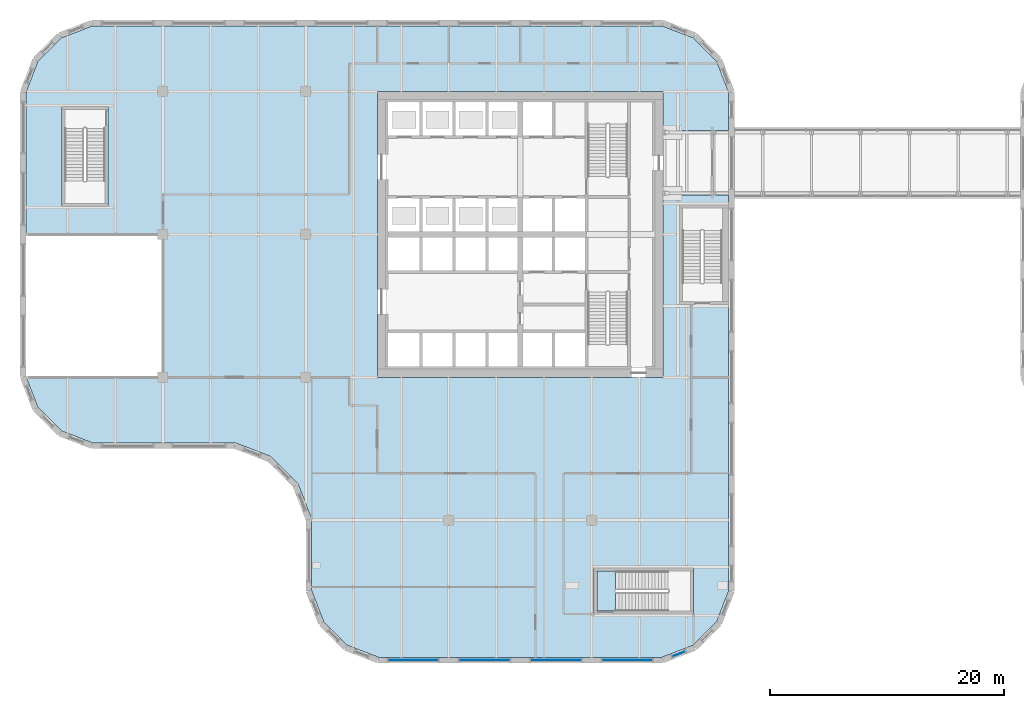
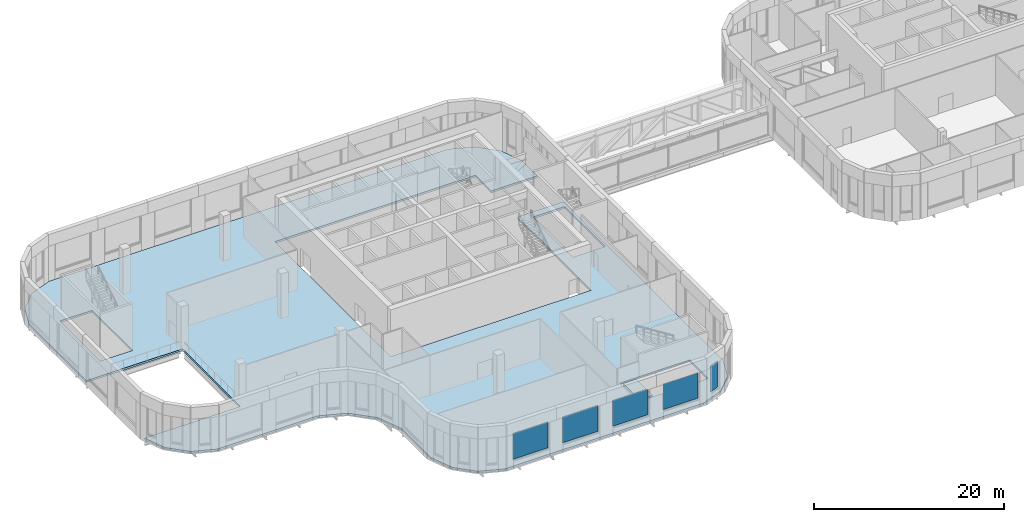
# One storey, part 15 of 36: 5 plates, 2 slabs, 5 elements without a shape of their own.
"""IFC4 building model written with IfcOpenShell, lengths in metres."""

from ifc_helpers import new_model, si_unit, direction, frame, origin, origin_2d, place, context, subcontext, project, spatial, polyline, rectangle, outline, extrude, material, layer, layer_set, type_object, element, aggregate, save


model = new_model("IFC4")

# Units and contexts
model_context = context("Model", 3, precision=1e-05, world=origin(), true_north=direction((0.0, 1.0)))
body_context = subcontext(model_context, "Body", "Model", "MODEL_VIEW")
ifc_project = project(units=[si_unit("LENGTHUNIT", "METRE"), si_unit("AREAUNIT", "SQUARE_METRE"), si_unit("VOLUMEUNIT", "CUBIC_METRE"), si_unit("PLANEANGLEUNIT", "RADIAN"), si_unit("MASSUNIT", "GRAM", prefix="KILO")], contexts=[model_context])

# Site, building, storey
site_placement = place(None, origin())
site = spatial("IfcSite", under=ifc_project, at=site_placement, CompositionType="ELEMENT")
building_placement = place(site_placement, origin())
building = spatial("IfcBuilding", under=site, at=building_placement, Name="Tessera Gate Towers", CompositionType="ELEMENT")
storey_placement = place(building_placement, frame((0.0, 0.0, 106.60009765625)))
storey = spatial("IfcBuildingStorey", under=building, at=storey_placement, Name="L26", CompositionType="ELEMENT", Elevation=106.60009765625)

# Slabs
ifc_material_1 = material(Name="Concrete C35/45", Category="concrete")
ifc_layer_1 = layer(ifc_material_1, 0.25)
ifc_layer_set_1 = layer_set([ifc_layer_1], Name="COMPOSITE FLOOR 250")
slab_type_1 = type_object("IfcSlabType", Name="COMPOSITE FLOOR 250", PredefinedType="FLOOR", material=ifc_layer_set_1)
slab_1_placement = place(storey_placement, frame((0.0, 0.0, -0.25)))
element("IfcSlab", 1, at=slab_1_placement, inside=storey, type_object=slab_type_1, Name="T1-L26", PredefinedType="FLOOR", context=body_context, shape_type="SweptSolid", body=[
    extrude(outline(polyline([(0.5, 36.60009765625), (12.199951171875, 36.60009765625), (12.199951171875, 24.39990234375), (0.535888671875, 24.39990234375), (1.526123046875, 21.8330078125), (3.533203125, 19.826171875), (6.193115234375, 18.800048828125), (18.39306640625, 18.800048828125), (21.42431640625, 17.630615234375), (23.730712890625, 15.32421875), (24.89990234375, 12.293212890625), (24.89990234375, 6.193115234375), (25.926025390625, 3.533203125), (27.93310546875, 1.526123046875), (30.593017578125, 0.5), (54.806884765625, 0.5), (57.466796875, 1.526123046875), (59.473876953125, 3.533203125), (60.5, 6.193115234375), (60.5, 39.948974609375), (54.89990234375, 39.948974609375), (54.89990234375, 24.39990234375), (30.5, 24.39990234375), (30.5, 48.800048828125), (54.89990234375, 48.800048828125), (54.89990234375, 45.450927734375), (60.5, 45.450927734375), (60.5, 48.706787109375), (59.473876953125, 51.366943359375), (57.466796875, 53.373779296875), (54.806884765625, 54.39990234375), (6.193115234375, 54.39990234375), (3.533203125, 53.373779296875), (1.526123046875, 51.366943359375), (0.5, 48.706787109375), (0.5, 36.60009765625)]), holes=[polyline([(3.60009765625, 39.0), (3.60009765625, 47.5), (7.5, 47.5), (7.5, 39.0), (3.60009765625, 39.0)]), polyline([(49.0, 4.199951171875), (49.0, 8.10009765625), (57.5, 8.10009765625), (57.5, 4.199951171875), (49.0, 4.199951171875)]), polyline([(56.300048828125, 30.60009765625), (56.300048828125, 39.10009765625), (60.199951171875, 39.10009765625), (60.199951171875, 30.60009765625), (56.300048828125, 30.60009765625)])]), origin(), (0.0, 0.0, 1.0), 0.25),
])
ifc_material_2 = material(Name="Concrete C35/45", Category="concrete")
ifc_layer_2 = layer(ifc_material_2, 0.25)
ifc_layer_set_2 = layer_set([ifc_layer_2], Name="CORE FLOOR SLAB 250")
slab_type_2 = type_object("IfcSlabType", Name="CORE FLOOR SLAB 250", PredefinedType="FLOOR", material=ifc_layer_set_2)
slab_2_placement = place(storey_placement, frame((0.0, 0.0, -0.25)))
element("IfcSlab", 2, at=slab_2_placement, inside=storey, type_object=slab_type_2, Name="L26 ST4 floor landing", PredefinedType="FLOOR", context=body_context, shape_type="SweptSolid", body=[
    extrude(outline(polyline([(49.25, 4.449951171875), (50.85009765625, 4.449951171875), (50.85009765625, 7.85009765625), (49.25, 7.85009765625), (49.25, 4.449951171875)])), origin(), (0.0, 0.0, 1.0), 0.25),
])

# Curtain wall, plate
ifc_material_3 = material(Name="Aluminium frame", Category="aluminium")
curtain_wall_type = type_object("IfcCurtainWallType", Name="CW-S3 amenity floor glazing", PredefinedType="NOTDEFINED", material=ifc_material_3)
curtain_wall_1_placement = place(storey_placement, origin())
curtain_wall_1 = element("IfcCurtainWall", 3, at=curtain_wall_1_placement, inside=storey, type_object=curtain_wall_type, Name="Curtain wall amenity floor glazing 0001", PredefinedType="NOTDEFINED")
ifc_material_4 = material(Name="Low-e laminated glass", Category="glass")
ifc_layer_3 = layer(ifc_material_4, 0.035888671875)
ifc_layer_set_3 = layer_set([ifc_layer_3], Name="PN-S3 glass panel 36")
plate_type = type_object("IfcPlateType", Name="PN-S3 glass panel 36", PredefinedType="CURTAIN_PANEL", material=ifc_layer_set_3)
plate_1_placement = place(storey_placement, frame((33.5732421875, 0.25, 1.10009765625), z_axis=(0.0, 0.0, 1.0), x_axis=(1.0, 0.0, 0.0)))
plate_1 = element("IfcPlate", 4, at=plate_1_placement, type_object=plate_type, Name="T1-CW3-0001 panel 1.1", PredefinedType="CURTAIN_PANEL", context=body_context, shape_type="SweptSolid", body=[
    extrude(rectangle(XDim=4.25341796875, YDim=0.035888671875, at=origin_2d()), origin(), (0.0, 0.0, 1.0), 3.300048828125),
])
aggregate(curtain_wall_1, [plate_1])

curtain_wall_2_placement = place(storey_placement, origin())
curtain_wall_2 = element("IfcCurtainWall", 5, at=curtain_wall_2_placement, inside=storey, type_object=curtain_wall_type, Name="Curtain wall amenity floor glazing 0002", PredefinedType="NOTDEFINED")
plate_2_placement = place(storey_placement, frame((39.64990234375, 0.25, 1.10009765625), z_axis=(0.0, 0.0, 1.0), x_axis=(1.0, 0.0, 0.0)))
plate_2 = element("IfcPlate", 6, at=plate_2_placement, type_object=plate_type, Name="T1-CW3-0002 panel 1.1", PredefinedType="CURTAIN_PANEL", context=body_context, shape_type="SweptSolid", body=[
    extrude(rectangle(XDim=4.300048828125, YDim=0.035888671875, at=origin_2d()), origin(), (0.0, 0.0, 1.0), 3.300048828125),
])
aggregate(curtain_wall_2, [plate_2])

curtain_wall_3_placement = place(storey_placement, origin())
curtain_wall_3 = element("IfcCurtainWall", 7, at=curtain_wall_3_placement, inside=storey, type_object=curtain_wall_type, Name="Curtain wall amenity floor glazing 0003", PredefinedType="NOTDEFINED")
plate_3_placement = place(storey_placement, frame((45.75, 0.25, 1.10009765625), z_axis=(0.0, 0.0, 1.0), x_axis=(1.0, 0.0, 0.0)))
plate_3 = element("IfcPlate", 8, at=plate_3_placement, type_object=plate_type, Name="T1-CW3-0003 panel 1.1", PredefinedType="CURTAIN_PANEL", context=body_context, shape_type="SweptSolid", body=[
    extrude(rectangle(XDim=4.300048828125, YDim=0.035888671875, at=origin_2d()), origin(), (0.0, 0.0, 1.0), 3.300048828125),
])
aggregate(curtain_wall_3, [plate_3])

curtain_wall_4_placement = place(storey_placement, origin())
curtain_wall_4 = element("IfcCurtainWall", 9, at=curtain_wall_4_placement, inside=storey, type_object=curtain_wall_type, Name="Curtain wall amenity floor glazing 0004", PredefinedType="NOTDEFINED")
plate_4_placement = place(storey_placement, frame((51.82666015625, 0.25, 1.10009765625), z_axis=(0.0, 0.0, 1.0), x_axis=(1.0, 0.0, 0.0)))
plate_4 = element("IfcPlate", 10, at=plate_4_placement, type_object=plate_type, Name="T1-CW3-0004 panel 1.1", PredefinedType="CURTAIN_PANEL", context=body_context, shape_type="SweptSolid", body=[
    extrude(rectangle(XDim=4.25341796875, YDim=0.035888671875, at=origin_2d()), origin(), (0.0, 0.0, 1.0), 3.300048828125),
])
aggregate(curtain_wall_4, [plate_4])

curtain_wall_5_placement = place(storey_placement, origin())
curtain_wall_5 = element("IfcCurtainWall", 11, at=curtain_wall_5_placement, inside=storey, type_object=curtain_wall_type, Name="Curtain wall amenity floor glazing 0005", PredefinedType="NOTDEFINED")
plate_5_placement = place(storey_placement, frame((56.22998046875, 0.781005859375, 1.10009765625), z_axis=(0.0, 0.0, 1.0), x_axis=(0.932989314041, 0.359904070394, 0.0)))
plate_5 = element("IfcPlate", 12, at=plate_5_placement, type_object=plate_type, Name="T1-CW3-0005 panel 1.1", PredefinedType="CURTAIN_PANEL", context=body_context, shape_type="SweptSolid", body=[
    extrude(rectangle(XDim=1.150634765625, YDim=0.035888671875, at=origin_2d()), origin(), (0.0, 0.0, 1.0), 3.300048828125),
])
aggregate(curtain_wall_5, [plate_5])

save(model, "model.ifc")
